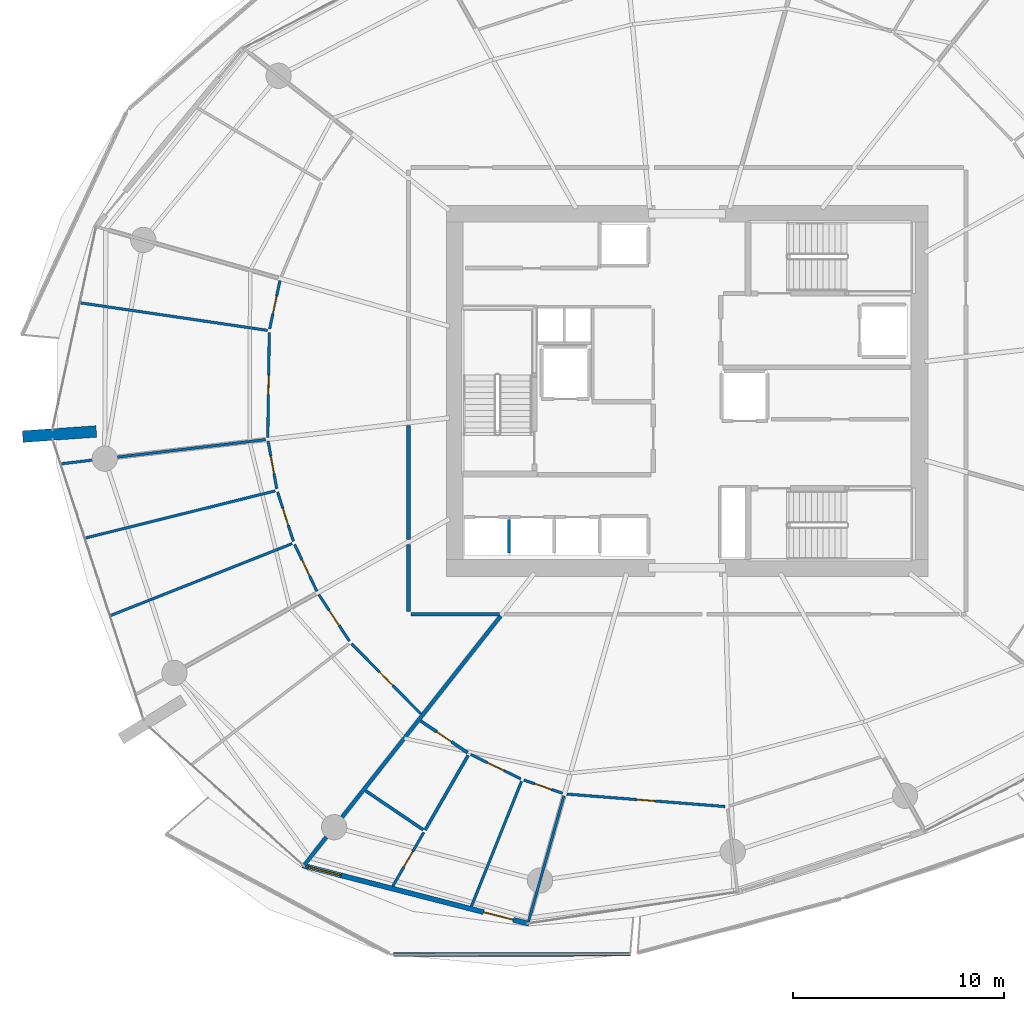
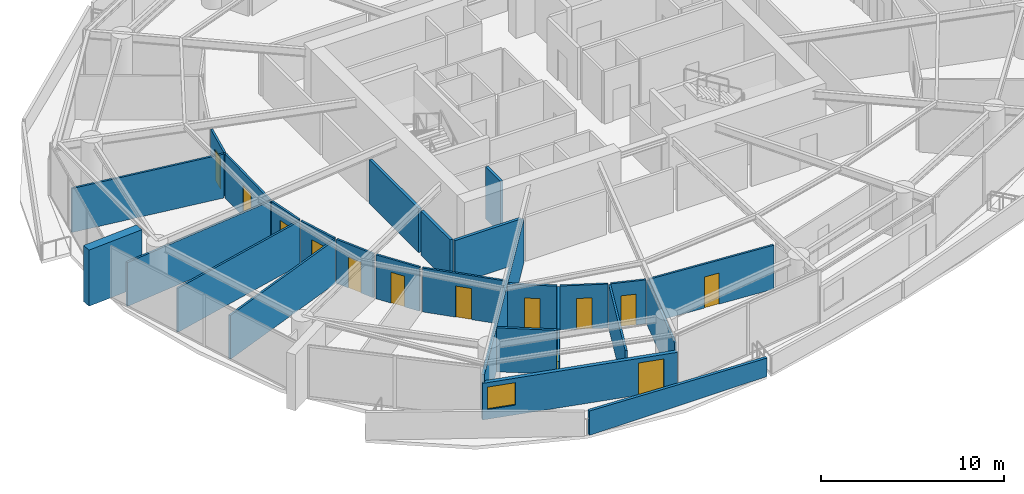
# One storey, part 11 of 22: 28 walls, 13 doors, 1 window, 14 openings.
"""IFC4 building model written with IfcOpenShell, lengths in metres."""

import ifcopenshell
import ifcopenshell.guid

model = None  # the IFC model being written
_history = None  # IfcOwnerHistory: only IFC2X3 demands one
_inside = {}  # id of a spatial element -> (the spatial element, [elements in it])
_under = {}  # id of a project, library or spatial element -> (it, [spatial elements below it])
_declared = {}  # id of a project -> (the project, [libraries it declares])
_typed = {}  # id of a type object -> (the type object, [elements of that type])
_made_of = {}  # id of a material, layer set ... -> (it, [elements and type objects made of it])


def new_model(schema):
    """Start an empty IFC model of exactly this schema.

    Asked for "IFC4X3", IfcOpenShell would pick the latest addendum, in which some entities
    have other attributes; the version numbers below select the first issue.
    IFC2X3 requires an IfcOwnerHistory on every rooted entity: one is made here for all.
    """
    global model, _history
    if schema == "IFC4X3":
        model = ifcopenshell.file(schema_version=(4, 3, 0, 0))
    else:
        model = ifcopenshell.file(schema=schema)
    _inside.clear()
    _under.clear()
    _declared.clear()
    _typed.clear()
    _made_of.clear()
    _history = None
    if model.schema == "IFC2X3":
        org = make("IfcOrganization", Name="unknown")
        user = make(
            "IfcPersonAndOrganization",
            ThePerson=make("IfcPerson", FamilyName="unknown"),
            TheOrganization=org,
        )
        app = make(
            "IfcApplication",
            ApplicationDeveloper=org,
            Version="unknown",
            ApplicationFullName="unknown",
            ApplicationIdentifier="unknown",
        )
        _history = make(
            "IfcOwnerHistory",
            OwningUser=user,
            OwningApplication=app,
            ChangeAction="ADDED",
            CreationDate=0,
        )
    return model


def make(cls, **values):
    """One entity of the class cls with the attributes given. An attribute that is None is left unset."""
    return model.create_entity(
        cls, **{name: value for name, value in values.items() if value is not None}
    )


def rooted(cls, **values):
    """An entity with a GlobalId (a new one), such as an element, a storey or a relation."""
    return make(cls, GlobalId=ifcopenshell.guid.new(), OwnerHistory=_history, **values)


def si_unit(unit_type, name, prefix=None):
    """IfcSIUnit, for example si_unit("LENGTHUNIT", "METRE", prefix="MILLI")."""
    return make("IfcSIUnit", UnitType=unit_type, Prefix=prefix, Name=name)


def assignment(units):
    """IfcUnitAssignment: the units of a project."""
    return None if units is None else make("IfcUnitAssignment", Units=units)


def point(xyz):
    """IfcCartesianPoint."""
    return None if xyz is None else make("IfcCartesianPoint", Coordinates=xyz)


def direction(xyz):
    """IfcDirection."""
    return None if xyz is None else make("IfcDirection", DirectionRatios=xyz)


def frame(location, z_axis=None, x_axis=None):
    """IfcAxis2Placement3D, a coordinate frame: its origin and axes. An axis left out is left unset."""
    return make(
        "IfcAxis2Placement3D",
        Location=point(location),
        Axis=direction(z_axis),
        RefDirection=direction(x_axis),
    )


def frame_2d(location, x_axis=None):
    """IfcAxis2Placement2D, a coordinate frame in the plane: its origin and x axis."""
    return make(
        "IfcAxis2Placement2D", Location=point(location), RefDirection=direction(x_axis)
    )


def origin():
    """The frame at (0, 0, 0) with its axes left unset."""
    return frame((0.0, 0.0, 0.0))


def place(relative_to, where):
    """IfcLocalPlacement: puts the frame where relative to a parent placement (None: the world)."""
    return make(
        "IfcLocalPlacement", PlacementRelTo=relative_to, RelativePlacement=where
    )


def context(
    kind, dimensions, precision=None, world=None, true_north=None, identifier=None
):
    """IfcGeometricRepresentationContext, for example the 3D "Model" context."""
    return make(
        "IfcGeometricRepresentationContext",
        ContextIdentifier=identifier,
        ContextType=kind,
        CoordinateSpaceDimension=dimensions,
        Precision=precision,
        WorldCoordinateSystem=world,
        TrueNorth=true_north,
    )


def subcontext(parent, identifier, kind, view, scale=None):
    """IfcGeometricRepresentationSubContext, for example "Body" below "Model"."""
    return make(
        "IfcGeometricRepresentationSubContext",
        ContextIdentifier=identifier,
        ContextType=kind,
        ParentContext=parent,
        TargetScale=scale,
        TargetView=view,
    )


def project(units=None, contexts=None):
    """IfcProject with its units and contexts."""
    return rooted(
        "IfcProject",
        Name="project",
        RepresentationContexts=contexts,
        UnitsInContext=assignment(units),
    )


def spatial(cls, under=None, at=None, **own):
    """A site, building, storey or space (cls), placed at a placement, below another one or the project."""
    s = rooted(cls, ObjectPlacement=at, **own)
    if under is not None:
        _under.setdefault(under.id(), (under, []))[1].append(s)
    return s


def polyline(points):
    """IfcPolyline through the points."""
    return make("IfcPolyline", Points=[point(p) for p in points])


def profile(cls, at=None, kind="AREA", **sizes):
    """A parametric profile (cls). Its sizes go by their IFC names, for example OverallWidth=200.0."""
    return make(cls, ProfileType=kind, Position=at, **sizes)


def rectangle(**sizes):
    """IfcRectangleProfileDef."""
    return profile("IfcRectangleProfileDef", **sizes)


def outline(outer, holes=None, kind="AREA"):
    """IfcArbitraryClosedProfileDef: a profile drawn as a closed curve; with holes, ...WithVoids."""
    if holes is None:
        return make("IfcArbitraryClosedProfileDef", ProfileType=kind, OuterCurve=outer)
    return make(
        "IfcArbitraryProfileDefWithVoids",
        ProfileType=kind,
        OuterCurve=outer,
        InnerCurves=holes,
    )


def extrude(swept, where, along, depth):
    """IfcExtrudedAreaSolid: the profile swept, set in the frame where, extruded along a direction by depth."""
    return make(
        "IfcExtrudedAreaSolid",
        SweptArea=swept,
        Position=where,
        ExtrudedDirection=direction(along),
        Depth=depth,
    )


def shape(context_of_items, identifier, shape_type, items):
    """IfcShapeRepresentation: the items that make up one representation, for example the "Body"."""
    return make(
        "IfcShapeRepresentation",
        ContextOfItems=context_of_items,
        RepresentationIdentifier=identifier,
        RepresentationType=shape_type,
        Items=items,
    )


def material(Name=None, Category=None):
    """IfcMaterial."""
    return make("IfcMaterial", Name=Name, Category=Category)


def layer(
    of_material, thickness, ventilated=None, Name=None, Category=None, Priority=None
):
    """IfcMaterialLayer: one layer of a wall or slab, of a material (None: an air gap)."""
    return make(
        "IfcMaterialLayer",
        Material=of_material,
        LayerThickness=thickness,
        IsVentilated=ventilated,
        Name=Name,
        Category=Category,
        Priority=Priority,
    )


def layer_set(layers, Name=None):
    """IfcMaterialLayerSet."""
    return make("IfcMaterialLayerSet", MaterialLayers=layers, LayerSetName=Name)


def made_of(thing, what):
    """Note that an element or type object is made of a material, layer set ...; save() writes the relation."""
    if what is not None:
        _made_of.setdefault(what.id(), (what, []))[1].append(thing)
    return thing


def type_object(cls, material=None, **own):
    """A type object (cls), such as IfcWallType, which elements share."""
    return made_of(rooted(cls, **own), material)


def element(
    cls,
    number,
    at=None,
    inside=None,
    cuts=None,
    type_object=None,
    material=None,
    context=None,
    identifier="Body",
    shape_type=None,
    held_by="IfcProductDefinitionShape",
    body=None,
    shapes=None,
    **own,
):
    """One element of the class cls, such as IfcWall. Its Tag is "e" and its number.

    at: its placement. inside: the storey or other place that contains it. cuts: it is an
    opening in that element (IfcRelVoidsElement). A single representation is given by context,
    identifier, shape_type and body (its items); several are given by shapes. held_by: the class
    of the entity that holds the representations. save() writes the other relations.
    """
    e = rooted(cls, Tag="e%d" % number, ObjectPlacement=at, **own)
    if body is not None:
        shapes = [shape(context, identifier, shape_type, body)]
    if shapes is not None:
        e.Representation = make(held_by, Representations=shapes)
    if inside is not None:
        _inside.setdefault(inside.id(), (inside, []))[1].append(e)
    if cuts is not None:
        rooted(
            "IfcRelVoidsElement", RelatingBuildingElement=cuts, RelatedOpeningElement=e
        )
    if type_object is not None:
        _typed.setdefault(type_object.id(), (type_object, []))[1].append(e)
    return made_of(e, material)


def fill(opening, filler):
    """IfcRelFillsElement: the door or window that sits in an opening."""
    return rooted(
        "IfcRelFillsElement",
        RelatingOpeningElement=opening,
        RelatedBuildingElement=filler,
    )


def aggregate(whole, parts):
    """IfcRelAggregates: a whole, such as a stair, and the parts it consists of."""
    return rooted("IfcRelAggregates", RelatingObject=whole, RelatedObjects=parts)


def save(model, path):
    """Write the relations noted so far, then the file.

    IfcRelAggregates (storeys below a building ...), IfcRelContainedInSpatialStructure (elements
    in a storey), IfcRelDefinesByType, IfcRelAssociatesMaterial and IfcRelDeclares: one each for
    every whole, place, type object, material and project.
    """
    for whole, parts in _under.values():
        aggregate(whole, parts)
    for where, things in _inside.values():
        rooted(
            "IfcRelContainedInSpatialStructure",
            RelatedElements=things,
            RelatingStructure=where,
        )
    for kind, things in _typed.values():
        rooted("IfcRelDefinesByType", RelatedObjects=things, RelatingType=kind)
    for what, things in _made_of.values():
        rooted("IfcRelAssociatesMaterial", RelatedObjects=things, RelatingMaterial=what)
    for by, libraries in _declared.values():
        rooted("IfcRelDeclares", RelatingContext=by, RelatedDefinitions=libraries)
    model.write(path)


model = new_model("IFC4")

# Units and contexts
model_context = context("Model", 3, precision=1e-05, world=origin(), true_north=direction((0.0, 1.0)))
body_context = subcontext(model_context, "Body", "Model", "MODEL_VIEW")
ifc_project = project(units=[si_unit("LENGTHUNIT", "METRE"), si_unit("AREAUNIT", "SQUARE_METRE"), si_unit("VOLUMEUNIT", "CUBIC_METRE"), si_unit("PLANEANGLEUNIT", "RADIAN"), si_unit("MASSUNIT", "GRAM", prefix="KILO")], contexts=[model_context])

# Site, building, storey
site_placement = place(None, origin())
site = spatial("IfcSite", under=ifc_project, at=site_placement, CompositionType="ELEMENT")
building_placement = place(site_placement, origin())
building = spatial("IfcBuilding", under=site, at=building_placement, Name="Kazma Halo Residences", CompositionType="ELEMENT")
storey_placement = place(building_placement, frame((0.0, 0.0, 90.14990234375)))
storey = spatial("IfcBuildingStorey", under=building, at=storey_placement, Name="L22", CompositionType="ELEMENT", Elevation=90.14990234375)

# Walls
ifc_material_1 = material(Name="White Concrete C50/60 Balustrade", Category="concrete")
ifc_layer_1 = layer(ifc_material_1, 0.179931640625)
ifc_layer_set_1 = layer_set([ifc_layer_1], Name="White Concrete C50/60 Balustrade")
wall_type_1 = type_object("IfcWallType", Name="WL-BAL-WAVE-180", PredefinedType="PARAPET", material=ifc_layer_set_1)
wall_1_placement = place(storey_placement, frame((34.490478515625, 15.25048828125, 0.0), z_axis=(0.0, 0.0, 1.0), x_axis=(0.999999178994, 0.001281409803, 0.0)))
element("IfcWall", 1, at=wall_1_placement, inside=storey, type_object=wall_type_1, Name="L22 white wave balustrade wall SW.2", PredefinedType="PARAPET", context=body_context, shape_type="SweptSolid", body=[
    extrude(outline(polyline([(0.0, 0.0), (11.240966796875, 0.0), (11.2412109375, 1.233154296875), (5.62060546875, 1.418212890625), (0.0, 1.632080078125), (0.0, 0.0)])), frame((0.0, 0.08984375, 0.0), z_axis=(0.0, -1.0, 0.0), x_axis=(1.0, 0.0, 0.0)), (0.0, 0.0, 1.0), 0.179931640625),
])
ifc_material_2 = material(Name="Pale Concrete C60/75", Category="concrete")
ifc_layer_2 = layer(ifc_material_2, 0.550048828125)
ifc_layer_set_2 = layer_set([ifc_layer_2], Name="Pale Concrete C60/75")
wall_type_2 = type_object("IfcWallType", Name="WL-BLADE-550", PredefinedType="SOLIDWALL", material=ifc_layer_set_2)
wall_2_placement = place(storey_placement, frame((20.393798828125, 40.069580078125, 0.0), z_axis=(0.0, 0.0, 1.0), x_axis=(-0.997564163539, -0.069754853754, 0.0)))
element("IfcWall", 2, at=wall_2_placement, inside=storey, type_object=wall_type_2, Name="L22 pale concrete structural blade fin wall BW-02", PredefinedType="SOLIDWALL", context=body_context, shape_type="SweptSolid", body=[
    extrude(rectangle(XDim=3.5, YDim=0.550048828125, at=frame_2d((1.75, 0.0))), origin(), (0.0, 0.0, 1.0), 3.75),
])
ifc_material_3 = material(Name="Acoustic Twin-Stud Gypsum")
ifc_layer_3 = layer(ifc_material_3, 0.179931640625)
ifc_layer_set_3 = layer_set([ifc_layer_3], Name="Acoustic Twin-Stud Gypsum")
wall_type_3 = type_object("IfcWallType", Name="WL-DEM-180", PredefinedType="PARTITIONING", material=ifc_layer_set_3)
wall_3_placement = place(storey_placement, frame((39.575439453125, 31.313720703125, 0.0), z_axis=(0.0, 0.0, 1.0), x_axis=(-0.619083417853, -0.785325233098, 0.0)))
element("IfcWall", 3, at=wall_3_placement, inside=storey, type_object=wall_type_3, Name="L22 apartment demising radial wall 09", PredefinedType="PARTITIONING", context=body_context, shape_type="SweptSolid", body=[
    extrude(rectangle(XDim=15.063232421875, YDim=0.179931640625, at=frame_2d((7.53173828125, 0.0))), origin(), (0.0, 0.0, 1.0), 2.940185546875),
])
wall_4_placement = place(storey_placement, frame((35.199951171875, 40.364990234375, 0.0), z_axis=(0.0, 0.0, 1.0), x_axis=(0.0, -1.0, 0.0)))
element("IfcWall", 4, at=wall_4_placement, inside=storey, type_object=wall_type_3, Name="L22 Apartment 1 inner wall 7", PredefinedType="PARTITIONING", context=body_context, shape_type="SweptSolid", body=[
    extrude(rectangle(XDim=5.413330078125, YDim=0.179931640625, at=frame_2d((2.70654296875, 0.0))), origin(), (0.0, 0.0, 1.0), 2.940185546875),
])
wall_5_placement = place(storey_placement, frame((35.199951171875, 34.711669921875, 0.0), z_axis=(0.0, 0.0, 1.0), x_axis=(0.0, -1.0, 0.0)))
element("IfcWall", 5, at=wall_5_placement, inside=storey, type_object=wall_type_3, Name="L22 Apartment 1 inner wall 8", PredefinedType="PARTITIONING", context=body_context, shape_type="SweptSolid", body=[
    extrude(rectangle(XDim=3.191650390625, YDim=0.179931640625, at=frame_2d((1.595703125, 0.0))), origin(), (0.0, 0.0, 1.0), 2.940185546875),
])
wall_6_placement = place(storey_placement, frame((35.320068359375, 31.39990234375, 0.0), z_axis=(0.0, 0.0, 1.0), x_axis=(1.0, 0.0, 0.0)))
element("IfcWall", 6, at=wall_6_placement, inside=storey, type_object=wall_type_3, Name="L22 Apartment 1 inner wall 8", PredefinedType="PARTITIONING", context=body_context, shape_type="SweptSolid", body=[
    extrude(rectangle(XDim=4.20361328125, YDim=0.179931640625, at=frame_2d((2.101806640625, 0.0))), origin(), (0.0, 0.0, 1.0), 2.940185546875),
])

# Wall, openings, door, window
ifc_material_4 = material(Name="Insulated Pale-Metal Composite Wall")
ifc_layer_4 = layer(ifc_material_4, 0.239990234375)
ifc_layer_set_4 = layer_set([ifc_layer_4], Name="Insulated Pale-Metal Composite Wall")
wall_type_4 = type_object("IfcWallType", Name="WL-EXT-HOST-240", PredefinedType="SOLIDWALL", material=ifc_layer_set_4)
wall_7_placement = place(storey_placement, frame((30.18603515625, 19.47705078125, 0.0), z_axis=(0.0, 0.0, 1.0), x_axis=(0.968356180858, -0.249572248045, 0.0)))
wall_7 = element("IfcWall", 7, at=wall_7_placement, inside=storey, type_object=wall_type_4, Name="L22 exterior terrace-access wall B10", PredefinedType="SOLIDWALL", context=body_context, shape_type="SweptSolid", body=[
    extrude(rectangle(XDim=11.08447265625, YDim=0.239990234375, at=frame_2d((5.542236328125, 0.0))), origin(), (0.0, 0.0, 1.0), 2.4501953125),
])
opening_1_placement = place(wall_7_placement, frame((8.864501953125, 0.0, 0.0)))
opening_1 = element("IfcOpeningElement", 8, at=opening_1_placement, cuts=wall_7, Name="Opening DTR-1600", PredefinedType="OPENING", context=body_context, shape_type="SweptSolid", body=[
    extrude(rectangle(XDim=1.449951171875, YDim=2.14990234375, at=frame_2d((0.72509765625, 1.074951171875))), frame((0.0, 0.1298828125, 0.0), z_axis=(0.0, -1.0, 0.0), x_axis=(1.0, 0.0, 0.0)), (0.0, 0.0, 1.0), 0.260009765625),
])
opening_2_placement = place(wall_7_placement, frame((0.280029296875, 0.0, 0.64990234375)))
opening_2 = element("IfcOpeningElement", 9, at=opening_2_placement, cuts=wall_7, Name="Opening W-1800", PredefinedType="OPENING", context=body_context, shape_type="SweptSolid", body=[
    extrude(rectangle(XDim=1.60009765625, YDim=1.5, at=frame_2d((0.800048828125, 0.75))), frame((0.0, 0.1298828125, 0.0), z_axis=(0.0, -1.0, 0.0), x_axis=(1.0, 0.0, 0.0)), (0.0, 0.0, 1.0), 0.260009765625),
])
ifc_material_5 = material(Name="Aluminium AW-6063 T6 Double-Glazed Terrace Door", Category="aluminium")
door_type_1 = type_object("IfcDoorType", Name="DR-EXT-TERR-1600", OperationType="NOTDEFINED", PredefinedType="DOOR", material=ifc_material_5)
door_1_placement = place(opening_1_placement, origin())
door_1 = element("IfcDoor", 10, at=door_1_placement, inside=storey, type_object=door_type_1, Name="L22 B10 balcony terrace door", OperationType="DOUBLE_DOOR_SLIDING", OverallHeight=2.14990234375, OverallWidth=1.449951171875, PredefinedType="DOOR", context=body_context, shape_type="SweptSolid", body=[
    extrude(rectangle(XDim=1.449951171875, YDim=2.14990234375, at=frame_2d((0.72509765625, 1.074951171875))), frame((0.0, 0.02490234375, 0.0), z_axis=(0.0, -1.0, 0.0), x_axis=(1.0, 0.0, 0.0)), (0.0, 0.0, 1.0), 0.050048828125),
])
fill(opening_1, door_1)
ifc_material_6 = material(Name="Clear Triple-Silver Low-E Glass in Aluminium AW-6063 T6 Frame", Category="aluminium")
window_type = type_object("IfcWindowType", Name="WIN-RES-1800", PartitioningType="DOUBLE_PANEL_VERTICAL", PredefinedType="WINDOW", material=ifc_material_6)
window_placement = place(opening_2_placement, origin())
window = element("IfcWindow", 11, at=window_placement, inside=storey, type_object=window_type, Name="L22 B10 apartment window", OverallHeight=1.5, OverallWidth=1.60009765625, PartitioningType="SINGLE_PANEL", PredefinedType="WINDOW", context=body_context, shape_type="SweptSolid", body=[
    extrude(rectangle(XDim=1.60009765625, YDim=1.5, at=frame_2d((0.800048828125, 0.75))), frame((0.0, 0.030029296875, 0.0), z_axis=(0.0, -1.0, 0.0), x_axis=(1.0, 0.0, 0.0)), (0.0, 0.0, 1.0), 0.06005859375),
])
fill(opening_2, window)

# Walls
ifc_material_7 = material(Name="Fire-Rated Blockwork Masonry", Category="masonry")
ifc_layer_5 = layer(ifc_material_7, 0.199951171875)
ifc_layer_set_5 = layer_set([ifc_layer_5], Name="Fire-Rated Blockwork Masonry")
wall_type_5 = type_object("IfcWallType", Name="WL-FLB-200", PredefinedType="PARTITIONING", material=ifc_layer_set_5)
wall_8_placement = place(storey_placement, frame((39.97509765625, 34.294921875, 0.0), z_axis=(0.0, 0.0, 1.0), x_axis=(0.0, 1.0, 0.0)))
element("IfcWall", 12, at=wall_8_placement, inside=storey, type_object=wall_type_5, Name="L22 lift shaft PL-01 side wall E", PredefinedType="PARTITIONING", context=body_context, shape_type="SweptSolid", body=[
    extrude(rectangle(XDim=1.610107421875, YDim=0.159912109375, at=frame_2d((0.80517578125, 0.0))), origin(), (0.0, 0.0, 1.0), 3.5),
])
ifc_material_8 = material(Name="Gypsum Plasterboard Partition")
ifc_layer_6 = layer(ifc_material_8, 0.125)
ifc_layer_set_6 = layer_set([ifc_layer_6], Name="Gypsum Plasterboard Partition")
wall_type_6 = type_object("IfcWallType", Name="WL-PART-125", PredefinedType="PARTITIONING", material=ifc_layer_set_6)
wall_9_placement = place(storey_placement, frame((28.510986328125, 44.867431640625, 0.0), z_axis=(0.0, 0.0, 1.0), x_axis=(-0.989349459184, 0.145559773332, 0.0)))
element("IfcWall", 13, at=wall_9_placement, inside=storey, type_object=wall_type_6, Name="L22 Apartment 1 mid-bay wall 6", PredefinedType="PARTITIONING", context=body_context, shape_type="SweptSolid", body=[
    extrude(rectangle(XDim=8.97509765625, YDim=0.125, at=frame_2d((4.487548828125, 0.0))), origin(), (0.0, 0.0, 1.0), 2.940185546875),
])

# Wall, opening, door
wall_10_placement = place(storey_placement, frame((29.106201171875, 47.224853515625, 0.0), z_axis=(0.0, 0.0, 1.0), x_axis=(-0.208839045871, -0.977950025778, 0.0)))
wall_10 = element("IfcWall", 14, at=wall_10_placement, inside=storey, type_object=wall_type_6, Name="L22 Apartment 1 South Wine Pantry Store hall wall", PredefinedType="PARTITIONING", context=body_context, shape_type="SweptSolid", body=[
    extrude(rectangle(XDim=2.343994140625, YDim=0.125, at=frame_2d((1.171875, 0.0))), origin(), (0.0, 0.0, 1.0), 2.940185546875),
])
opening_3_placement = place(wall_10_placement, frame((0.7470703125, 0.0, 0.0)))
opening_3 = element("IfcOpeningElement", 15, at=opening_3_placement, cuts=wall_10, Name="Opening DB-900", PredefinedType="OPENING", context=body_context, shape_type="SweptSolid", body=[
    extrude(rectangle(XDim=0.85009765625, YDim=2.06005859375, at=frame_2d((0.425048828125, 1.030029296875))), frame((0.0, 0.072509765625, 0.0), z_axis=(0.0, -1.0, 0.0), x_axis=(1.0, 0.0, 0.0)), (0.0, 0.0, 1.0), 0.14501953125),
])
ifc_material_9 = material(Name="Moisture-Sealed Timber Leaf", Category="wood")
door_type_2 = type_object("IfcDoorType", Name="DR-BTH-900", OperationType="NOTDEFINED", PredefinedType="DOOR", material=ifc_material_9)
door_2_placement = place(opening_3_placement, origin())
door_2 = element("IfcDoor", 16, at=door_2_placement, inside=storey, type_object=door_type_2, Name="L22 Apartment 1 South Wine Pantry Store door", OperationType="SINGLE_SWING_LEFT", OverallHeight=2.06005859375, OverallWidth=0.85009765625, PredefinedType="DOOR", context=body_context, shape_type="SweptSolid", body=[
    extrude(rectangle(XDim=0.85009765625, YDim=2.06005859375, at=frame_2d((0.425048828125, 1.030029296875))), frame((0.0, 0.02490234375, 0.0), z_axis=(0.0, -1.0, 0.0), x_axis=(1.0, 0.0, 0.0)), (0.0, 0.0, 1.0), 0.050048828125),
])
fill(opening_3, door_2)

wall_11_placement = place(storey_placement, frame((28.598876953125, 44.7744140625, 0.0), z_axis=(0.0, 0.0, 1.0), x_axis=(-0.014168717323, -0.999899618687, 0.0)))
wall_11 = element("IfcWall", 17, at=wall_11_placement, inside=storey, type_object=wall_type_6, Name="L22 Apartment 1 Inner Formal Dining Room hall wall", PredefinedType="PARTITIONING", context=body_context, shape_type="SweptSolid", body=[
    extrude(rectangle(XDim=4.979736328125, YDim=0.125, at=frame_2d((2.48974609375, 0.0))), origin(), (0.0, 0.0, 1.0), 2.940185546875),
])
opening_4_placement = place(wall_11_placement, frame((2.039794921875, 0.0, 0.0)))
opening_4 = element("IfcOpeningElement", 18, at=opening_4_placement, cuts=wall_11, Name="Opening DI-950", PredefinedType="OPENING", context=body_context, shape_type="SweptSolid", body=[
    extrude(rectangle(XDim=0.89990234375, YDim=2.080078125, at=frame_2d((0.449951171875, 1.0400390625))), frame((0.0, 0.072509765625, 0.0), z_axis=(0.0, -1.0, 0.0), x_axis=(1.0, 0.0, 0.0)), (0.0, 0.0, 1.0), 0.14501953125),
])
ifc_material_10 = material(Name="Timber Veneer Flush Leaf", Category="wood")
door_type_3 = type_object("IfcDoorType", Name="DR-INT-950", OperationType="NOTDEFINED", PredefinedType="DOOR", material=ifc_material_10)
door_3_placement = place(opening_4_placement, origin())
door_3 = element("IfcDoor", 19, at=door_3_placement, inside=storey, type_object=door_type_3, Name="L22 Apartment 1 Inner Formal Dining Room door", OperationType="SINGLE_SWING_RIGHT", OverallHeight=2.080078125, OverallWidth=0.89990234375, PredefinedType="DOOR", context=body_context, shape_type="SweptSolid", body=[
    extrude(rectangle(XDim=0.89990234375, YDim=2.080078125, at=frame_2d((0.449951171875, 1.0400390625))), frame((0.0, 0.02490234375, 0.0), z_axis=(0.0, -1.0, 0.0), x_axis=(1.0, 0.0, 0.0)), (0.0, 0.0, 1.0), 0.050048828125),
])
fill(opening_4, door_3)

# Walls
wall_12_placement = place(storey_placement, frame((28.427490234375, 39.683349609375, 0.0), z_axis=(0.0, 0.0, 1.0), x_axis=(-0.993070374036, -0.117521198991, 0.0)))
element("IfcWall", 20, at=wall_12_placement, inside=storey, type_object=wall_type_6, Name="L22 Apartment 1 radial partition 7", PredefinedType="PARTITIONING", context=body_context, shape_type="SweptSolid", body=[
    extrude(rectangle(XDim=9.77001953125, YDim=0.125, at=frame_2d((4.885009765625, 0.0))), origin(), (0.0, 0.0, 1.0), 2.940185546875),
])
wall_13_placement = place(storey_placement, frame((28.882080078125, 37.251220703125, 0.0), z_axis=(0.0, 0.0, 1.0), x_axis=(-0.970501778917, -0.241093959111, 0.0)))
element("IfcWall", 21, at=wall_13_placement, inside=storey, type_object=wall_type_6, Name="L22 Apartment 1 bay wall 1 7", PredefinedType="PARTITIONING", context=body_context, shape_type="SweptSolid", body=[
    extrude(rectangle(XDim=9.285888671875, YDim=0.125, at=frame_2d((4.64306640625, 0.0))), origin(), (0.0, 0.0, 1.0), 2.940185546875),
])
wall_14_placement = place(storey_placement, frame((29.684326171875, 34.748291015625, 0.0), z_axis=(0.0, 0.0, 1.0), x_axis=(-0.929782203012, -0.36811011255, 0.0)))
element("IfcWall", 22, at=wall_14_placement, inside=storey, type_object=wall_type_6, Name="L22 Apartment 1 bay wall 2 7", PredefinedType="PARTITIONING", context=body_context, shape_type="SweptSolid", body=[
    extrude(rectangle(XDim=9.2705078125, YDim=0.125, at=frame_2d((4.63525390625, 0.0))), origin(), (0.0, 0.0, 1.0), 2.940185546875),
])

# Wall, opening, door
wall_15_placement = place(storey_placement, frame((28.541259765625, 39.616455078125, 0.0), z_axis=(0.0, 0.0, 1.0), x_axis=(0.179631908925, -0.983733895571, 0.0)))
wall_15 = element("IfcWall", 23, at=wall_15_placement, inside=storey, type_object=wall_type_6, Name="L22 Apartment 1 Outer Bedroom hall wall", PredefinedType="PARTITIONING", context=body_context, shape_type="SweptSolid", body=[
    extrude(rectangle(XDim=2.30224609375, YDim=0.125, at=frame_2d((1.151123046875, 0.0))), origin(), (0.0, 0.0, 1.0), 2.940185546875),
])
opening_5_placement = place(wall_15_placement, frame((0.726318359375, 0.0, 0.0)))
opening_5 = element("IfcOpeningElement", 24, at=opening_5_placement, cuts=wall_15, Name="Opening DB-900", PredefinedType="OPENING", context=body_context, shape_type="SweptSolid", body=[
    extrude(rectangle(XDim=0.85009765625, YDim=2.06005859375, at=frame_2d((0.425048828125, 1.030029296875))), frame((0.0, 0.072509765625, 0.0), z_axis=(0.0, -1.0, 0.0), x_axis=(1.0, 0.0, 0.0)), (0.0, 0.0, 1.0), 0.14501953125),
])
door_4_placement = place(opening_5_placement, origin())
door_4 = element("IfcDoor", 25, at=door_4_placement, inside=storey, type_object=door_type_2, Name="L22 Apartment 1 Outer Bedroom door", OperationType="SINGLE_SWING_LEFT", OverallHeight=2.06005859375, OverallWidth=0.85009765625, PredefinedType="DOOR", context=body_context, shape_type="SweptSolid", body=[
    extrude(rectangle(XDim=0.85009765625, YDim=2.06005859375, at=frame_2d((0.425048828125, 1.030029296875))), frame((0.0, 0.02490234375, 0.0), z_axis=(0.0, -1.0, 0.0), x_axis=(1.0, 0.0, 0.0)), (0.0, 0.0, 1.0), 0.050048828125),
])
fill(opening_5, door_4)

wall_16_placement = place(storey_placement, frame((28.99365234375, 37.196533203125, 0.0), z_axis=(0.0, 0.0, 1.0), x_axis=(0.305352731689, -0.952239313014, 0.0)))
wall_16 = element("IfcWall", 26, at=wall_16_placement, inside=storey, type_object=wall_type_6, Name="L22 Apartment 1 Corner Dressing Wardrobe hall wall", PredefinedType="PARTITIONING", context=body_context, shape_type="SweptSolid", body=[
    extrude(rectangle(XDim=2.4560546875, YDim=0.125, at=frame_2d((1.22802734375, 0.0))), origin(), (0.0, 0.0, 1.0), 2.940185546875),
])
opening_6_placement = place(wall_16_placement, frame((0.802978515625, 0.0, 0.0)))
opening_6 = element("IfcOpeningElement", 27, at=opening_6_placement, cuts=wall_16, Name="Opening DB-900", PredefinedType="OPENING", context=body_context, shape_type="SweptSolid", body=[
    extrude(rectangle(XDim=0.85009765625, YDim=2.06005859375, at=frame_2d((0.425048828125, 1.030029296875))), frame((0.0, 0.072509765625, 0.0), z_axis=(0.0, -1.0, 0.0), x_axis=(1.0, 0.0, 0.0)), (0.0, 0.0, 1.0), 0.14501953125),
])
door_5_placement = place(opening_6_placement, origin())
door_5 = element("IfcDoor", 28, at=door_5_placement, inside=storey, type_object=door_type_2, Name="L22 Apartment 1 Corner Dressing Wardrobe door", OperationType="SINGLE_SWING_RIGHT", OverallHeight=2.06005859375, OverallWidth=0.85009765625, PredefinedType="DOOR", context=body_context, shape_type="SweptSolid", body=[
    extrude(rectangle(XDim=0.85009765625, YDim=2.06005859375, at=frame_2d((0.425048828125, 1.030029296875))), frame((0.0, 0.02490234375, 0.0), z_axis=(0.0, -1.0, 0.0), x_axis=(1.0, 0.0, 0.0)), (0.0, 0.0, 1.0), 0.050048828125),
])
fill(opening_6, door_5)

wall_17_placement = place(storey_placement, frame((29.80224609375, 34.708984375, 0.0), z_axis=(0.0, 0.0, 1.0), x_axis=(0.429431892781, -0.90309924674, 0.0)))
wall_17 = element("IfcWall", 29, at=wall_17_placement, inside=storey, type_object=wall_type_6, Name="L22 Apartment 1 Garden Bedroom hall wall", PredefinedType="PARTITIONING", context=body_context, shape_type="SweptSolid", body=[
    extrude(rectangle(XDim=2.4560546875, YDim=0.125, at=frame_2d((1.22802734375, 0.0))), origin(), (0.0, 0.0, 1.0), 2.940185546875),
])
opening_7_placement = place(wall_17_placement, frame((0.802978515625, 0.0, 0.0)))
opening_7 = element("IfcOpeningElement", 30, at=opening_7_placement, cuts=wall_17, Name="Opening DB-900", PredefinedType="OPENING", context=body_context, shape_type="SweptSolid", body=[
    extrude(rectangle(XDim=0.85009765625, YDim=2.06005859375, at=frame_2d((0.425048828125, 1.030029296875))), frame((0.0, 0.072509765625, 0.0), z_axis=(0.0, -1.0, 0.0), x_axis=(1.0, 0.0, 0.0)), (0.0, 0.0, 1.0), 0.14501953125),
])
door_6_placement = place(opening_7_placement, origin())
door_6 = element("IfcDoor", 31, at=door_6_placement, inside=storey, type_object=door_type_2, Name="L22 Apartment 1 Garden Bedroom door", OperationType="SINGLE_SWING_LEFT", OverallHeight=2.06005859375, OverallWidth=0.85009765625, PredefinedType="DOOR", context=body_context, shape_type="SweptSolid", body=[
    extrude(rectangle(XDim=0.85009765625, YDim=2.06005859375, at=frame_2d((0.425048828125, 1.030029296875))), frame((0.0, 0.02490234375, 0.0), z_axis=(0.0, -1.0, 0.0), x_axis=(1.0, 0.0, 0.0)), (0.0, 0.0, 1.0), 0.050048828125),
])
fill(opening_7, door_6)

wall_18_placement = place(storey_placement, frame((30.9462890625, 32.335205078125, 0.0), z_axis=(0.0, 0.0, 1.0), x_axis=(0.55037901545, -0.83491492941, 0.0)))
wall_18 = element("IfcWall", 32, at=wall_18_placement, inside=storey, type_object=wall_type_6, Name="L22 Apartment 1 Sky Wine Pantry Store hall wall", PredefinedType="PARTITIONING", context=body_context, shape_type="SweptSolid", body=[
    extrude(rectangle(XDim=2.6513671875, YDim=0.125, at=frame_2d((1.32568359375, 0.0))), origin(), (0.0, 0.0, 1.0), 2.940185546875),
])
opening_8_placement = place(wall_18_placement, frame((0.900634765625, 0.0, 0.0)))
opening_8 = element("IfcOpeningElement", 33, at=opening_8_placement, cuts=wall_18, Name="Opening DB-900", PredefinedType="OPENING", context=body_context, shape_type="SweptSolid", body=[
    extrude(rectangle(XDim=0.85009765625, YDim=2.06005859375, at=frame_2d((0.425048828125, 1.030029296875))), frame((0.0, 0.072509765625, 0.0), z_axis=(0.0, -1.0, 0.0), x_axis=(1.0, 0.0, 0.0)), (0.0, 0.0, 1.0), 0.14501953125),
])
door_7_placement = place(opening_8_placement, origin())
door_7 = element("IfcDoor", 34, at=door_7_placement, inside=storey, type_object=door_type_2, Name="L22 Apartment 1 Sky Wine Pantry Store door", OperationType="SINGLE_SWING_LEFT", OverallHeight=2.06005859375, OverallWidth=0.85009765625, PredefinedType="DOOR", context=body_context, shape_type="SweptSolid", body=[
    extrude(rectangle(XDim=0.85009765625, YDim=2.06005859375, at=frame_2d((0.425048828125, 1.030029296875))), frame((0.0, 0.02490234375, 0.0), z_axis=(0.0, -1.0, 0.0), x_axis=(1.0, 0.0, 0.0)), (0.0, 0.0, 1.0), 0.050048828125),
])
fill(opening_8, door_7)

wall_19_placement = place(storey_placement, frame((32.505615234375, 29.997802734375, 0.0), z_axis=(0.0, 0.0, 1.0), x_axis=(0.702626830151, -0.711558527144, 0.0)))
wall_19 = element("IfcWall", 35, at=wall_19_placement, inside=storey, type_object=wall_type_6, Name="L22 Apartment 1 Gulf Formal Dining Room hall wall", PredefinedType="PARTITIONING", context=body_context, shape_type="SweptSolid", body=[
    extrude(rectangle(XDim=4.674072265625, YDim=0.125, at=frame_2d((2.3369140625, 0.0))), origin(), (0.0, 0.0, 1.0), 2.940185546875),
])
opening_9_placement = place(wall_19_placement, frame((1.88720703125, 0.0, 0.0)))
opening_9 = element("IfcOpeningElement", 36, at=opening_9_placement, cuts=wall_19, Name="Opening DI-950", PredefinedType="OPENING", context=body_context, shape_type="SweptSolid", body=[
    extrude(rectangle(XDim=0.89990234375, YDim=2.080078125, at=frame_2d((0.449951171875, 1.0400390625))), frame((0.0, 0.072509765625, 0.0), z_axis=(0.0, -1.0, 0.0), x_axis=(1.0, 0.0, 0.0)), (0.0, 0.0, 1.0), 0.14501953125),
])
door_8_placement = place(opening_9_placement, origin())
door_8 = element("IfcDoor", 37, at=door_8_placement, inside=storey, type_object=door_type_3, Name="L22 Apartment 1 Gulf Formal Dining Room door", OperationType="SINGLE_SWING_RIGHT", OverallHeight=2.080078125, OverallWidth=0.89990234375, PredefinedType="DOOR", context=body_context, shape_type="SweptSolid", body=[
    extrude(rectangle(XDim=0.89990234375, YDim=2.080078125, at=frame_2d((0.449951171875, 1.0400390625))), frame((0.0, 0.02490234375, 0.0), z_axis=(0.0, -1.0, 0.0), x_axis=(1.0, 0.0, 0.0)), (0.0, 0.0, 1.0), 0.050048828125),
])
fill(opening_9, door_8)

wall_20_placement = place(storey_placement, frame((35.92822265625, 21.046630859375, 0.0), z_axis=(0.0, 0.0, 1.0), x_axis=(-0.499221481069, -0.866474415571, 0.0)))
wall_20 = element("IfcWall", 38, at=wall_20_placement, inside=storey, type_object=wall_type_6, Name="L22 Apartment 2 Utility Laundry Room partition wall", PredefinedType="PARTITIONING", context=body_context, shape_type="SweptSolid", body=[
    extrude(rectangle(XDim=2.939697265625, YDim=0.125, at=frame_2d((1.4697265625, 0.0))), origin(), (0.0, 0.0, 1.0), 2.940185546875),
])
opening_10_placement = place(wall_20_placement, frame((1.044921875, 0.0, 0.0)))
opening_10 = element("IfcOpeningElement", 39, at=opening_10_placement, cuts=wall_20, Name="Opening DB-900", PredefinedType="OPENING", context=body_context, shape_type="SweptSolid", body=[
    extrude(rectangle(XDim=0.85009765625, YDim=2.06005859375, at=frame_2d((0.425048828125, 1.030029296875))), frame((0.0, 0.072509765625, 0.0), z_axis=(0.0, -1.0, 0.0), x_axis=(1.0, 0.0, 0.0)), (0.0, 0.0, 1.0), 0.14501953125),
])
door_9_placement = place(opening_10_placement, origin())
door_9 = element("IfcDoor", 40, at=door_9_placement, inside=storey, type_object=door_type_2, Name="L22 Apartment 2 Utility Laundry Room door", OperationType="SINGLE_SWING_LEFT", OverallHeight=2.06005859375, OverallWidth=0.85009765625, PredefinedType="DOOR", context=body_context, shape_type="SweptSolid", body=[
    extrude(rectangle(XDim=0.85009765625, YDim=2.06005859375, at=frame_2d((0.425048828125, 1.030029296875))), frame((0.0, 0.02490234375, 0.0), z_axis=(0.0, -1.0, 0.0), x_axis=(1.0, 0.0, 0.0)), (0.0, 0.0, 1.0), 0.050048828125),
])
fill(opening_10, door_9)

# Wall
wall_21_placement = place(storey_placement, frame((40.569091796875, 23.47265625, 0.0), z_axis=(0.0, 0.0, 1.0), x_axis=(-0.372286385433, -0.928117905883, 0.0)))
element("IfcWall", 41, at=wall_21_placement, inside=storey, type_object=wall_type_6, Name="L22 Apartment 2 suite divider 9", PredefinedType="PARTITIONING", context=body_context, shape_type="SweptSolid", body=[
    extrude(rectangle(XDim=6.389892578125, YDim=0.125, at=frame_2d((3.19482421875, 0.0))), origin(), (0.0, 0.0, 1.0), 2.940185546875),
])

# Wall, opening, door
wall_22_placement = place(storey_placement, frame((38.160888671875, 24.741943359375, 0.0), z_axis=(0.0, 0.0, 1.0), x_axis=(0.899520645698, -0.436878253021, 0.0)))
wall_22 = element("IfcWall", 42, at=wall_22_placement, inside=storey, type_object=wall_type_6, Name="L22 Apartment 2 Gourmet Kitchen hall wall", PredefinedType="PARTITIONING", context=body_context, shape_type="SweptSolid", body=[
    extrude(rectangle(XDim=2.63427734375, YDim=0.125, at=frame_2d((1.317138671875, 0.0))), origin(), (0.0, 0.0, 1.0), 2.940185546875),
])
opening_11_placement = place(wall_22_placement, frame((0.89208984375, 0.0, 0.0)))
opening_11 = element("IfcOpeningElement", 43, at=opening_11_placement, cuts=wall_22, Name="Opening DB-900", PredefinedType="OPENING", context=body_context, shape_type="SweptSolid", body=[
    extrude(rectangle(XDim=0.85009765625, YDim=2.06005859375, at=frame_2d((0.425048828125, 1.030029296875))), frame((0.0, 0.072509765625, 0.0), z_axis=(0.0, -1.0, 0.0), x_axis=(1.0, 0.0, 0.0)), (0.0, 0.0, 1.0), 0.14501953125),
])
door_10_placement = place(opening_11_placement, origin())
door_10 = element("IfcDoor", 44, at=door_10_placement, inside=storey, type_object=door_type_2, Name="L22 Apartment 2 Gourmet Kitchen door", OperationType="SINGLE_SWING_RIGHT", OverallHeight=2.06005859375, OverallWidth=0.85009765625, PredefinedType="DOOR", context=body_context, shape_type="SweptSolid", body=[
    extrude(rectangle(XDim=0.85009765625, YDim=2.06005859375, at=frame_2d((0.425048828125, 1.030029296875))), frame((0.0, 0.02490234375, 0.0), z_axis=(0.0, -1.0, 0.0), x_axis=(1.0, 0.0, 0.0)), (0.0, 0.0, 1.0), 0.050048828125),
])
fill(opening_11, door_10)

wall_23_placement = place(storey_placement, frame((40.67822265625, 23.530517578125, 0.0), z_axis=(0.0, 0.0, 1.0), x_axis=(0.946608161304, -0.322386396971, 0.0)))
wall_23 = element("IfcWall", 45, at=wall_23_placement, inside=storey, type_object=wall_type_6, Name="L22 Apartment 2 Primary Bedroom hall wall", PredefinedType="PARTITIONING", context=body_context, shape_type="SweptSolid", body=[
    extrude(rectangle(XDim=1.936279296875, YDim=0.125, at=frame_2d((0.96826171875, 0.0))), origin(), (0.0, 0.0, 1.0), 2.940185546875),
])
opening_12_placement = place(wall_23_placement, frame((0.543212890625, 0.0, 0.0)))
opening_12 = element("IfcOpeningElement", 46, at=opening_12_placement, cuts=wall_23, Name="Opening DB-900", PredefinedType="OPENING", context=body_context, shape_type="SweptSolid", body=[
    extrude(rectangle(XDim=0.85009765625, YDim=2.06005859375, at=frame_2d((0.425048828125, 1.030029296875))), frame((0.0, 0.072509765625, 0.0), z_axis=(0.0, -1.0, 0.0), x_axis=(1.0, 0.0, 0.0)), (0.0, 0.0, 1.0), 0.14501953125),
])
door_11_placement = place(opening_12_placement, origin())
door_11 = element("IfcDoor", 47, at=door_11_placement, inside=storey, type_object=door_type_2, Name="L22 Apartment 2 Primary Bedroom door", OperationType="SINGLE_SWING_LEFT", OverallHeight=2.06005859375, OverallWidth=0.85009765625, PredefinedType="DOOR", context=body_context, shape_type="SweptSolid", body=[
    extrude(rectangle(XDim=0.85009765625, YDim=2.06005859375, at=frame_2d((0.425048828125, 1.030029296875))), frame((0.0, 0.02490234375, 0.0), z_axis=(0.0, -1.0, 0.0), x_axis=(1.0, 0.0, 0.0)), (0.0, 0.0, 1.0), 0.050048828125),
])
fill(opening_12, door_11)

# Wall
wall_24_placement = place(storey_placement, frame((42.578857421875, 22.77783203125, 0.0), z_axis=(0.0, 0.0, 1.0), x_axis=(-0.271466748189, -0.962447819171, 0.0)))
element("IfcWall", 48, at=wall_24_placement, inside=storey, type_object=wall_type_6, Name="L22 Apartment 2 radial partition 10", PredefinedType="PARTITIONING", context=body_context, shape_type="SweptSolid", body=[
    extrude(rectangle(XDim=6.165771484375, YDim=0.125, at=frame_2d((3.0830078125, 0.0))), origin(), (0.0, 0.0, 1.0), 2.940185546875),
])

# Wall, opening, door
wall_25_placement = place(storey_placement, frame((42.715576171875, 22.865478515625, 0.0), z_axis=(0.0, 0.0, 1.0), x_axis=(0.99691758874, -0.078455855487, 0.0)))
wall_25 = element("IfcWall", 49, at=wall_25_placement, inside=storey, type_object=wall_type_6, Name="L22 Apartment 2 East Formal Dining Room gallery wall", PredefinedType="PARTITIONING", context=body_context, shape_type="SweptSolid", body=[
    extrude(rectangle(XDim=7.53369140625, YDim=0.125, at=frame_2d((3.766845703125, 0.0))), origin(), (0.0, 0.0, 1.0), 2.940185546875),
])
opening_13_placement = place(wall_25_placement, frame((3.31689453125, 0.0, 0.0)))
opening_13 = element("IfcOpeningElement", 50, at=opening_13_placement, cuts=wall_25, Name="Opening DI-950", PredefinedType="OPENING", context=body_context, shape_type="SweptSolid", body=[
    extrude(rectangle(XDim=0.89990234375, YDim=2.080078125, at=frame_2d((0.449951171875, 1.0400390625))), frame((0.0, 0.072509765625, 0.0), z_axis=(0.0, -1.0, 0.0), x_axis=(1.0, 0.0, 0.0)), (0.0, 0.0, 1.0), 0.14501953125),
])
door_12_placement = place(opening_13_placement, origin())
door_12 = element("IfcDoor", 51, at=door_12_placement, inside=storey, type_object=door_type_3, Name="L22 Apartment 2 East Formal Dining Room door", OperationType="SINGLE_SWING_LEFT", OverallHeight=2.080078125, OverallWidth=0.89990234375, PredefinedType="DOOR", context=body_context, shape_type="SweptSolid", body=[
    extrude(rectangle(XDim=0.89990234375, YDim=2.080078125, at=frame_2d((0.449951171875, 1.0400390625))), frame((0.0, 0.02490234375, 0.0), z_axis=(0.0, -1.0, 0.0), x_axis=(1.0, 0.0, 0.0)), (0.0, 0.0, 1.0), 0.050048828125),
])
fill(opening_13, door_12)

ifc_material_11 = material(Name="Moisture-Resistant Gypsum")
ifc_layer_7 = layer(ifc_material_11, 0.14990234375)
ifc_layer_set_7 = layer_set([ifc_layer_7], Name="Moisture-Resistant Gypsum")
wall_type_7 = type_object("IfcWallType", Name="WL-WET-150", PredefinedType="PARTITIONING", material=ifc_layer_set_7)
wall_26_placement = place(storey_placement, frame((35.7802734375, 26.338134765625, 0.0), z_axis=(0.0, 0.0, 1.0), x_axis=(0.828087409359, -0.560599003264, 0.0)))
wall_26 = element("IfcWall", 52, at=wall_26_placement, inside=storey, type_object=wall_type_7, Name="L22 Apartment 2 Guest Bathroom hall wall", PredefinedType="PARTITIONING", context=body_context, shape_type="SweptSolid", body=[
    extrude(rectangle(XDim=2.68701171875, YDim=0.14990234375, at=frame_2d((1.343505859375, 0.0))), origin(), (0.0, 0.0, 1.0), 2.940185546875),
])
opening_14_placement = place(wall_26_placement, frame((0.91845703125, 0.0, 0.0)))
opening_14 = element("IfcOpeningElement", 53, at=opening_14_placement, cuts=wall_26, Name="Opening DB-900", PredefinedType="OPENING", context=body_context, shape_type="SweptSolid", body=[
    extrude(rectangle(XDim=0.85009765625, YDim=2.06005859375, at=frame_2d((0.425048828125, 1.030029296875))), frame((0.0, 0.0849609375, 0.0), z_axis=(0.0, -1.0, 0.0), x_axis=(1.0, 0.0, 0.0)), (0.0, 0.0, 1.0), 0.169921875),
])
door_13_placement = place(opening_14_placement, origin())
door_13 = element("IfcDoor", 54, at=door_13_placement, inside=storey, type_object=door_type_2, Name="L22 Apartment 2 Guest Bathroom door", OperationType="SINGLE_SWING_RIGHT", OverallHeight=2.06005859375, OverallWidth=0.85009765625, PredefinedType="DOOR", context=body_context, shape_type="SweptSolid", body=[
    extrude(rectangle(XDim=0.85009765625, YDim=2.06005859375, at=frame_2d((0.425048828125, 1.030029296875))), frame((0.0, 0.02490234375, 0.0), z_axis=(0.0, -1.0, 0.0), x_axis=(1.0, 0.0, 0.0)), (0.0, 0.0, 1.0), 0.050048828125),
])
fill(opening_14, door_13)

# Walls
wall_27_placement = place(storey_placement, frame((33.16748046875, 23.02392578125, 0.0), z_axis=(0.0, 0.0, 1.0), x_axis=(0.828134847694, -0.560528923459, 0.0)))
element("IfcWall", 55, at=wall_27_placement, inside=storey, type_object=wall_type_7, Name="L22 Apartment 2 Guest Bathroom back wall", PredefinedType="PARTITIONING", context=body_context, shape_type="SweptSolid", body=[
    extrude(rectangle(XDim=3.298095703125, YDim=0.14990234375, at=frame_2d((1.64892578125, 0.0))), origin(), (0.0, 0.0, 1.0), 2.940185546875),
])
wall_28_placement = place(storey_placement, frame((38.034912109375, 24.703125, 0.0), z_axis=(0.0, 0.0, 1.0), x_axis=(-0.499227984822, -0.866470668384, 0.0)))
element("IfcWall", 56, at=wall_28_placement, inside=storey, type_object=wall_type_7, Name="L22 Apartment 2 Guest Bathroom side wall", PredefinedType="PARTITIONING", context=body_context, shape_type="SweptSolid", body=[
    extrude(rectangle(XDim=4.08984375, YDim=0.14990234375, at=frame_2d((2.044921875, 0.0))), origin(), (0.0, 0.0, 1.0), 2.940185546875),
])

save(model, "model.ifc")
